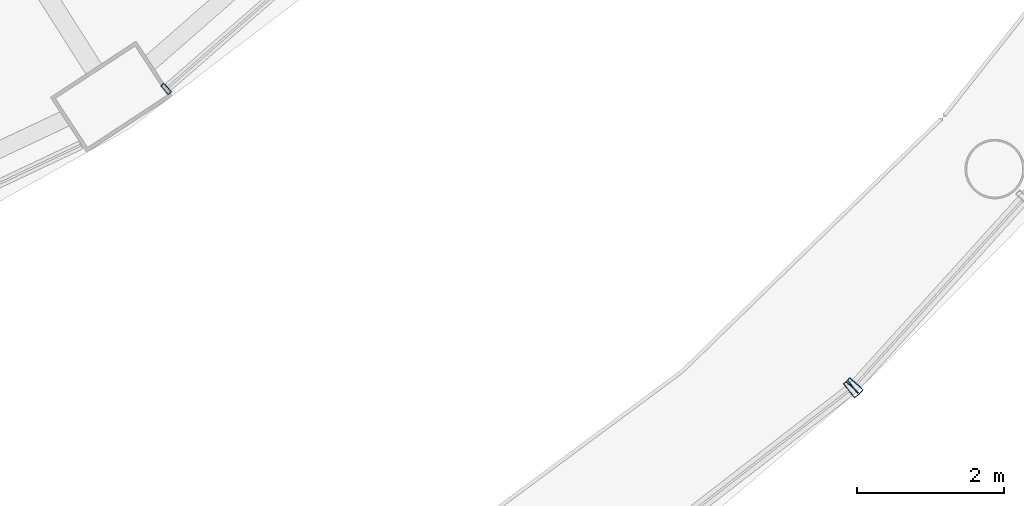
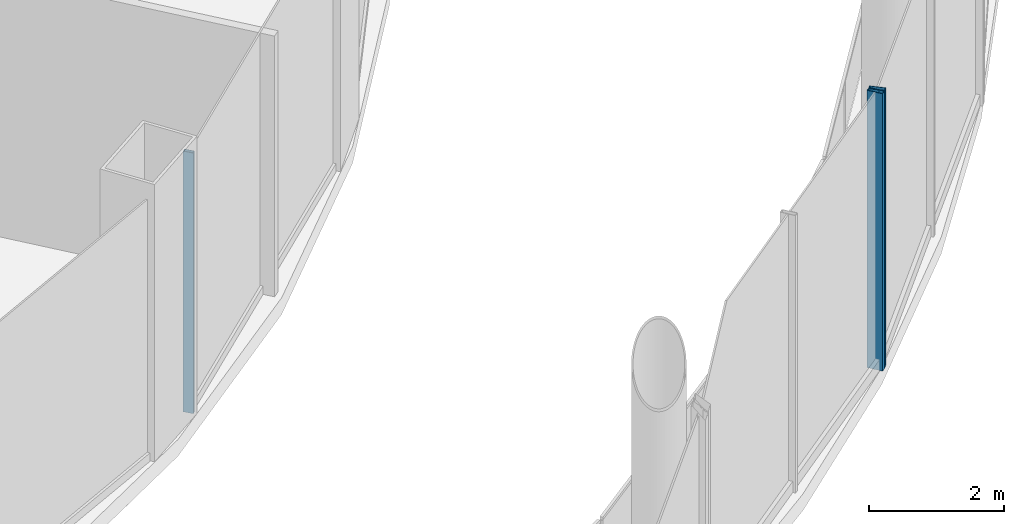
# One storey, part 11 of 47: 3 members, 3 elements without a shape of their own.
"""IFC4 building model written with IfcOpenShell, lengths in metres."""

from ifc_helpers import new_model, si_unit, direction, frame, origin, origin_2d, place, context, subcontext, project, spatial, hollow_rectangle, extrude, material, layer, layer_set, material_profile, profile_set, type_object, element, aggregate, save


model = new_model("IFC4")

# Units and contexts
model_context = context("Model", 3, precision=1e-05, world=origin(), true_north=direction((0.0, 1.0)))
body_context = subcontext(model_context, "Body", "Model", "MODEL_VIEW")
ifc_project = project(units=[si_unit("LENGTHUNIT", "METRE"), si_unit("AREAUNIT", "SQUARE_METRE"), si_unit("VOLUMEUNIT", "CUBIC_METRE"), si_unit("PLANEANGLEUNIT", "RADIAN"), si_unit("MASSUNIT", "GRAM", prefix="KILO")], contexts=[model_context])

# Site, building, storey
site_placement = place(None, origin())
site = spatial("IfcSite", under=ifc_project, at=site_placement, CompositionType="ELEMENT")
building_placement = place(site_placement, origin())
building = spatial("IfcBuilding", under=site, at=building_placement, Name="Nagisa Residences", CompositionType="ELEMENT")
storey_placement = place(building_placement, frame((0.0, 0.0, 17.0)))
storey = spatial("IfcBuildingStorey", under=building, at=storey_placement, Name="L03", CompositionType="ELEMENT", Elevation=17.0)

# Curtain wall, member
ifc_material_1 = material(Name="Stainless steel curtain wall system", Category="steel")
ifc_layer_1 = layer(ifc_material_1, 0.159912109375)
ifc_layer_set_1 = layer_set([ifc_layer_1], Name="CW3 CURTAIN WALL")
curtain_wall_type_1 = type_object("IfcCurtainWallType", Name="CW3 CURTAIN WALL", PredefinedType="NOTDEFINED", material=ifc_layer_set_1)
curtain_wall_1_placement = place(storey_placement, origin())
curtain_wall_1 = element("IfcCurtainWall", 1, at=curtain_wall_1_placement, inside=storey, type_object=curtain_wall_type_1, Name="cw:CW3:L03:30", PredefinedType="NOTDEFINED")
ifc_material_2 = material(Name="Stainless steel", Category="steel")
ifc_material_profile_1 = material_profile(ifc_material_2, hollow_rectangle(XDim=0.25, YDim=0.080078125, WallThickness=0.008056640625, at=origin_2d()), Name="CW3 MULLION 250x80")
ifc_profile_set_1 = profile_set([ifc_material_profile_1], Name="Stainless steel")
member_type_1 = type_object("IfcMemberType", Name="CW3 MULLION 250x80", PredefinedType="MULLION", material=ifc_profile_set_1)
member_1_placement = place(storey_placement, frame((27.9453125, -32.135009765625, 0.0), z_axis=(0.0, 0.0, 1.0), x_axis=(-0.612034757172, 0.790830864353, 0.0)))
member_1 = element("IfcMember", 2, at=member_1_placement, type_object=member_type_1, Name="CW3 mullion", PredefinedType="MULLION", context=body_context, shape_type="SweptSolid", body=[
    extrude(hollow_rectangle(XDim=0.25, YDim=0.080078125, WallThickness=0.008056640625, at=origin_2d()), origin(), (0.0, 0.0, 1.0), 5.0),
])
aggregate(curtain_wall_1, [member_1])

curtain_wall_2_placement = place(storey_placement, origin())
curtain_wall_2 = element("IfcCurtainWall", 3, at=curtain_wall_2_placement, inside=storey, type_object=curtain_wall_type_1, Name="cw:CW3:L03:31", PredefinedType="NOTDEFINED")
member_2_placement = place(storey_placement, frame((27.993408203125, -32.090576171875, 0.0), z_axis=(0.0, 0.0, 1.0), x_axis=(-0.741535779122, 0.670913323971, 0.0)))
member_2 = element("IfcMember", 4, at=member_2_placement, type_object=member_type_1, Name="CW3 mullion", PredefinedType="MULLION", context=body_context, shape_type="SweptSolid", body=[
    extrude(hollow_rectangle(XDim=0.25, YDim=0.080078125, WallThickness=0.008056640625, at=origin_2d()), origin(), (0.0, 0.0, 1.0), 5.0),
])
aggregate(curtain_wall_2, [member_2])

ifc_material_3 = material(Name="Stainless steel curtain wall system", Category="steel")
ifc_layer_2 = layer(ifc_material_3, 0.159912109375)
ifc_layer_set_2 = layer_set([ifc_layer_2], Name="CW6 CURTAIN WALL")
curtain_wall_type_2 = type_object("IfcCurtainWallType", Name="CW6 CURTAIN WALL", PredefinedType="NOTDEFINED", material=ifc_layer_set_2)
curtain_wall_3_placement = place(storey_placement, origin())
curtain_wall_3 = element("IfcCurtainWall", 5, at=curtain_wall_3_placement, inside=storey, type_object=curtain_wall_type_2, Name="cw:CW6:L03:40", PredefinedType="NOTDEFINED")
ifc_material_4 = material(Name="Stainless steel", Category="steel")
ifc_material_profile_2 = material_profile(ifc_material_4, hollow_rectangle(XDim=0.159912109375, YDim=0.06005859375, WallThickness=0.006103515625, at=origin_2d()), Name="CW6 MULLION 160x60")
ifc_profile_set_2 = profile_set([ifc_material_profile_2], Name="Stainless steel")
member_type_2 = type_object("IfcMemberType", Name="CW6 MULLION 160x60", PredefinedType="MULLION", material=ifc_profile_set_2)
member_3_placement = place(storey_placement, frame((18.59716796875, -28.038330078125, 0.0), z_axis=(0.0, 0.0, 1.0), x_axis=(-0.657721475708, 0.753261216572, 0.0)))
member_3 = element("IfcMember", 6, at=member_3_placement, type_object=member_type_2, Name="CW6 mullion", PredefinedType="MULLION", context=body_context, shape_type="SweptSolid", body=[
    extrude(hollow_rectangle(XDim=0.159912109375, YDim=0.06005859375, WallThickness=0.006103515625, at=origin_2d()), origin(), (0.0, 0.0, 1.0), 4.699951171875),
])
aggregate(curtain_wall_3, [member_3])

save(model, "model.ifc")
